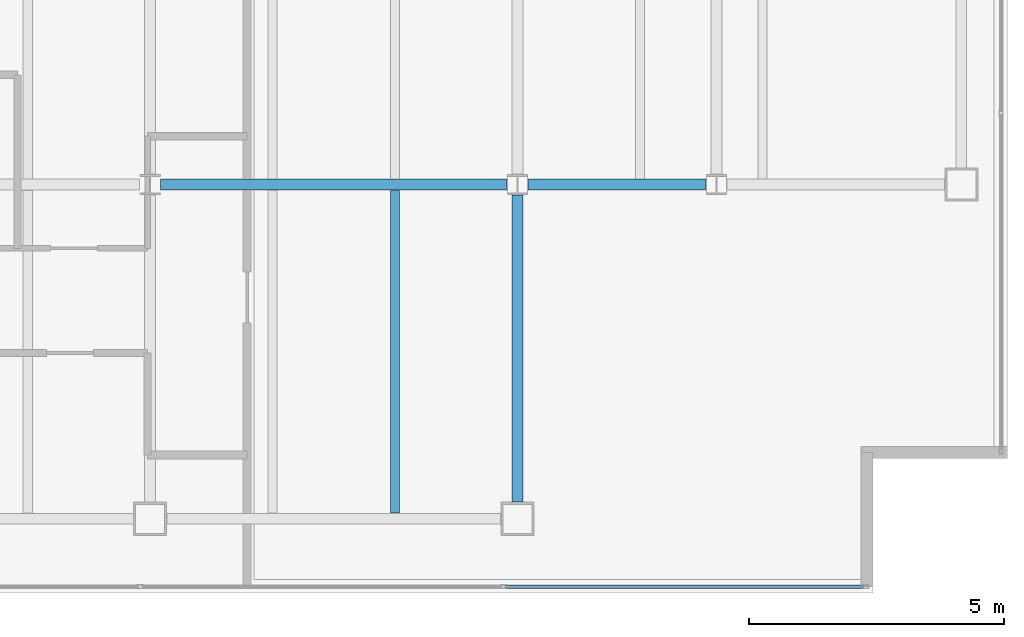
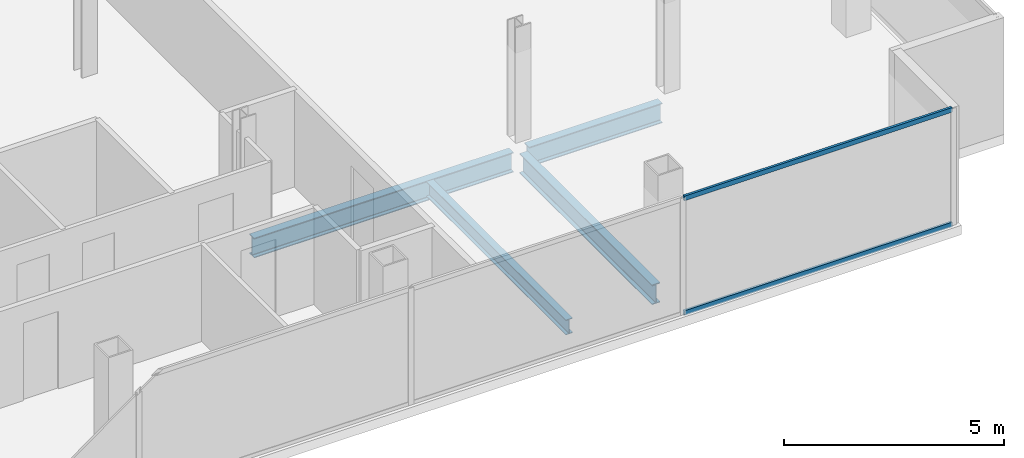
# One storey, part 13 of 23: 4 beams, 2 members, 1 element without a shape of its own.
"""IFC4 building model written with IfcOpenShell, lengths in metres."""

import ifcopenshell
import ifcopenshell.guid

model = None  # the IFC model being written
_history = None  # IfcOwnerHistory: only IFC2X3 demands one
_inside = {}  # id of a spatial element -> (the spatial element, [elements in it])
_under = {}  # id of a project, library or spatial element -> (it, [spatial elements below it])
_declared = {}  # id of a project -> (the project, [libraries it declares])
_typed = {}  # id of a type object -> (the type object, [elements of that type])
_made_of = {}  # id of a material, layer set ... -> (it, [elements and type objects made of it])


def new_model(schema):
    """Start an empty IFC model of exactly this schema.

    Asked for "IFC4X3", IfcOpenShell would pick the latest addendum, in which some entities
    have other attributes; the version numbers below select the first issue.
    IFC2X3 requires an IfcOwnerHistory on every rooted entity: one is made here for all.
    """
    global model, _history
    if schema == "IFC4X3":
        model = ifcopenshell.file(schema_version=(4, 3, 0, 0))
    else:
        model = ifcopenshell.file(schema=schema)
    _inside.clear()
    _under.clear()
    _declared.clear()
    _typed.clear()
    _made_of.clear()
    _history = None
    if model.schema == "IFC2X3":
        org = make("IfcOrganization", Name="unknown")
        user = make(
            "IfcPersonAndOrganization",
            ThePerson=make("IfcPerson", FamilyName="unknown"),
            TheOrganization=org,
        )
        app = make(
            "IfcApplication",
            ApplicationDeveloper=org,
            Version="unknown",
            ApplicationFullName="unknown",
            ApplicationIdentifier="unknown",
        )
        _history = make(
            "IfcOwnerHistory",
            OwningUser=user,
            OwningApplication=app,
            ChangeAction="ADDED",
            CreationDate=0,
        )
    return model


def make(cls, **values):
    """One entity of the class cls with the attributes given. An attribute that is None is left unset."""
    return model.create_entity(
        cls, **{name: value for name, value in values.items() if value is not None}
    )


def rooted(cls, **values):
    """An entity with a GlobalId (a new one), such as an element, a storey or a relation."""
    return make(cls, GlobalId=ifcopenshell.guid.new(), OwnerHistory=_history, **values)


def si_unit(unit_type, name, prefix=None):
    """IfcSIUnit, for example si_unit("LENGTHUNIT", "METRE", prefix="MILLI")."""
    return make("IfcSIUnit", UnitType=unit_type, Prefix=prefix, Name=name)


def assignment(units):
    """IfcUnitAssignment: the units of a project."""
    return None if units is None else make("IfcUnitAssignment", Units=units)


def point(xyz):
    """IfcCartesianPoint."""
    return None if xyz is None else make("IfcCartesianPoint", Coordinates=xyz)


def direction(xyz):
    """IfcDirection."""
    return None if xyz is None else make("IfcDirection", DirectionRatios=xyz)


def frame(location, z_axis=None, x_axis=None):
    """IfcAxis2Placement3D, a coordinate frame: its origin and axes. An axis left out is left unset."""
    return make(
        "IfcAxis2Placement3D",
        Location=point(location),
        Axis=direction(z_axis),
        RefDirection=direction(x_axis),
    )


def frame_2d(location, x_axis=None):
    """IfcAxis2Placement2D, a coordinate frame in the plane: its origin and x axis."""
    return make(
        "IfcAxis2Placement2D", Location=point(location), RefDirection=direction(x_axis)
    )


def origin():
    """The frame at (0, 0, 0) with its axes left unset."""
    return frame((0.0, 0.0, 0.0))


def origin_2d():
    """The frame at (0, 0) in the plane with its x axis left unset."""
    return frame_2d((0.0, 0.0))


def place(relative_to, where):
    """IfcLocalPlacement: puts the frame where relative to a parent placement (None: the world)."""
    return make(
        "IfcLocalPlacement", PlacementRelTo=relative_to, RelativePlacement=where
    )


def context(
    kind, dimensions, precision=None, world=None, true_north=None, identifier=None
):
    """IfcGeometricRepresentationContext, for example the 3D "Model" context."""
    return make(
        "IfcGeometricRepresentationContext",
        ContextIdentifier=identifier,
        ContextType=kind,
        CoordinateSpaceDimension=dimensions,
        Precision=precision,
        WorldCoordinateSystem=world,
        TrueNorth=true_north,
    )


def subcontext(parent, identifier, kind, view, scale=None):
    """IfcGeometricRepresentationSubContext, for example "Body" below "Model"."""
    return make(
        "IfcGeometricRepresentationSubContext",
        ContextIdentifier=identifier,
        ContextType=kind,
        ParentContext=parent,
        TargetScale=scale,
        TargetView=view,
    )


def project(units=None, contexts=None):
    """IfcProject with its units and contexts."""
    return rooted(
        "IfcProject",
        Name="project",
        RepresentationContexts=contexts,
        UnitsInContext=assignment(units),
    )


def spatial(cls, under=None, at=None, **own):
    """A site, building, storey or space (cls), placed at a placement, below another one or the project."""
    s = rooted(cls, ObjectPlacement=at, **own)
    if under is not None:
        _under.setdefault(under.id(), (under, []))[1].append(s)
    return s


def profile(cls, at=None, kind="AREA", **sizes):
    """A parametric profile (cls). Its sizes go by their IFC names, for example OverallWidth=200.0."""
    return make(cls, ProfileType=kind, Position=at, **sizes)


def hollow_rectangle(**sizes):
    """IfcRectangleHollowProfileDef."""
    return profile("IfcRectangleHollowProfileDef", **sizes)


def i_section(**sizes):
    """IfcIShapeProfileDef."""
    return profile("IfcIShapeProfileDef", **sizes)


def extrude(swept, where, along, depth):
    """IfcExtrudedAreaSolid: the profile swept, set in the frame where, extruded along a direction by depth."""
    return make(
        "IfcExtrudedAreaSolid",
        SweptArea=swept,
        Position=where,
        ExtrudedDirection=direction(along),
        Depth=depth,
    )


def shape(context_of_items, identifier, shape_type, items):
    """IfcShapeRepresentation: the items that make up one representation, for example the "Body"."""
    return make(
        "IfcShapeRepresentation",
        ContextOfItems=context_of_items,
        RepresentationIdentifier=identifier,
        RepresentationType=shape_type,
        Items=items,
    )


def material(Name=None, Category=None):
    """IfcMaterial."""
    return make("IfcMaterial", Name=Name, Category=Category)


def material_profile(
    of_material, cross_section, Name=None, Category=None, Priority=None
):
    """IfcMaterialProfile: a cross section and its material."""
    return make(
        "IfcMaterialProfile",
        Name=Name,
        Material=of_material,
        Profile=cross_section,
        Priority=Priority,
        Category=Category,
    )


def profile_set(profiles, Name=None, composite=None):
    """IfcMaterialProfileSet."""
    return make(
        "IfcMaterialProfileSet",
        Name=Name,
        MaterialProfiles=profiles,
        CompositeProfile=composite,
    )


def made_of(thing, what):
    """Note that an element or type object is made of a material, layer set ...; save() writes the relation."""
    if what is not None:
        _made_of.setdefault(what.id(), (what, []))[1].append(thing)
    return thing


def type_object(cls, material=None, **own):
    """A type object (cls), such as IfcWallType, which elements share."""
    return made_of(rooted(cls, **own), material)


def element(
    cls,
    number,
    at=None,
    inside=None,
    cuts=None,
    type_object=None,
    material=None,
    context=None,
    identifier="Body",
    shape_type=None,
    held_by="IfcProductDefinitionShape",
    body=None,
    shapes=None,
    **own,
):
    """One element of the class cls, such as IfcWall. Its Tag is "e" and its number.

    at: its placement. inside: the storey or other place that contains it. cuts: it is an
    opening in that element (IfcRelVoidsElement). A single representation is given by context,
    identifier, shape_type and body (its items); several are given by shapes. held_by: the class
    of the entity that holds the representations. save() writes the other relations.
    """
    e = rooted(cls, Tag="e%d" % number, ObjectPlacement=at, **own)
    if body is not None:
        shapes = [shape(context, identifier, shape_type, body)]
    if shapes is not None:
        e.Representation = make(held_by, Representations=shapes)
    if inside is not None:
        _inside.setdefault(inside.id(), (inside, []))[1].append(e)
    if cuts is not None:
        rooted(
            "IfcRelVoidsElement", RelatingBuildingElement=cuts, RelatedOpeningElement=e
        )
    if type_object is not None:
        _typed.setdefault(type_object.id(), (type_object, []))[1].append(e)
    return made_of(e, material)


def aggregate(whole, parts):
    """IfcRelAggregates: a whole, such as a stair, and the parts it consists of."""
    return rooted("IfcRelAggregates", RelatingObject=whole, RelatedObjects=parts)


def save(model, path):
    """Write the relations noted so far, then the file.

    IfcRelAggregates (storeys below a building ...), IfcRelContainedInSpatialStructure (elements
    in a storey), IfcRelDefinesByType, IfcRelAssociatesMaterial and IfcRelDeclares: one each for
    every whole, place, type object, material and project.
    """
    for whole, parts in _under.values():
        aggregate(whole, parts)
    for where, things in _inside.values():
        rooted(
            "IfcRelContainedInSpatialStructure",
            RelatedElements=things,
            RelatingStructure=where,
        )
    for kind, things in _typed.values():
        rooted("IfcRelDefinesByType", RelatedObjects=things, RelatingType=kind)
    for what, things in _made_of.values():
        rooted("IfcRelAssociatesMaterial", RelatedObjects=things, RelatingMaterial=what)
    for by, libraries in _declared.values():
        rooted("IfcRelDeclares", RelatingContext=by, RelatedDefinitions=libraries)
    model.write(path)


model = new_model("IFC4")

# Units and contexts
model_context = context("Model", 3, precision=1e-05, world=origin(), true_north=direction((0.0, 1.0)))
body_context = subcontext(model_context, "Body", "Model", "MODEL_VIEW")
ifc_project = project(units=[si_unit("LENGTHUNIT", "METRE"), si_unit("AREAUNIT", "SQUARE_METRE"), si_unit("VOLUMEUNIT", "CUBIC_METRE"), si_unit("PLANEANGLEUNIT", "RADIAN"), si_unit("MASSUNIT", "GRAM", prefix="KILO")], contexts=[model_context])

# Site, building, storey
site_placement = place(None, origin())
site = spatial("IfcSite", under=ifc_project, at=site_placement, CompositionType="ELEMENT")
building_placement = place(site_placement, origin())
building = spatial("IfcBuilding", under=site, at=building_placement, Name="Cobrela Telecom Tower", CompositionType="ELEMENT")
storey_placement = place(building_placement, frame((0.0, 0.0, 272.64990234375)))
storey = spatial("IfcBuildingStorey", under=building, at=storey_placement, Name="L71", CompositionType="ELEMENT", Elevation=272.64990234375)

# Beams
ifc_material_1 = material(Name="Steel ASTM A992 Grade 50", Category="steel")
ifc_material_profile_1 = material_profile(ifc_material_1, i_section(OverallWidth=0.212890625, OverallDepth=0.549072265625, WebThickness=0.0146484375, FlangeThickness=0.023681640625, FilletRadius=0.013916015625, at=origin_2d()), Name="W21X93")
ifc_profile_set_1 = profile_set([ifc_material_profile_1], Name="Steel ASTM A992 Grade 50")
beam_type_1 = type_object("IfcBeamType", Name="BM-GIRD-08", PredefinedType="USERDEFINED", material=ifc_profile_set_1)
beam_1_placement = place(storey_placement, frame((29.00439453125, 14.39990234375, -0.534423828125), z_axis=(1.0, 0.0, 0.0), x_axis=(0.0, 1.0, 0.0)))
element("IfcBeam", 1, at=beam_1_placement, inside=storey, type_object=beam_type_1, Name="L71 Primary Girder X07", ObjectType="GIRDER", PredefinedType="USERDEFINED", context=body_context, shape_type="SweptSolid", body=[
    extrude(i_section(OverallWidth=0.212890625, OverallDepth=0.549072265625, WebThickness=0.0146484375, FlangeThickness=0.023681640625, FilletRadius=0.013916015625, at=origin_2d()), origin(), (0.0, 0.0, 1.0), 6.791015625),
])
beam_2_placement = place(storey_placement, frame((36.20458984375, 14.39990234375, -0.534423828125), z_axis=(1.0, 0.0, 0.0), x_axis=(0.0, 1.0, 0.0)))
element("IfcBeam", 2, at=beam_2_placement, inside=storey, type_object=beam_type_1, Name="L71 Primary Girder X08", ObjectType="GIRDER", PredefinedType="USERDEFINED", context=body_context, shape_type="SweptSolid", body=[
    extrude(i_section(OverallWidth=0.212890625, OverallDepth=0.549072265625, WebThickness=0.0146484375, FlangeThickness=0.023681640625, FilletRadius=0.013916015625, at=origin_2d()), origin(), (0.0, 0.0, 1.0), 3.490966796875),
])
beam_3_placement = place(storey_placement, frame((36.0, 8.179931640625, -0.534423828125), z_axis=(0.0, 1.0, 0.0), x_axis=(-1.0, 0.0, 0.0)))
element("IfcBeam", 3, at=beam_3_placement, inside=storey, type_object=beam_type_1, Name="L71 Primary Girder Y31", ObjectType="GIRDER", PredefinedType="USERDEFINED", context=body_context, shape_type="SweptSolid", body=[
    extrude(i_section(OverallWidth=0.212890625, OverallDepth=0.549072265625, WebThickness=0.0146484375, FlangeThickness=0.023681640625, FilletRadius=0.013916015625, at=origin_2d()), origin(), (0.0, 0.0, 1.0), 6.015625),
])
ifc_material_profile_2 = material_profile(ifc_material_1, i_section(OverallWidth=0.179931640625, OverallDepth=0.4169921875, WebThickness=0.010986328125, FlangeThickness=0.01806640625, FilletRadius=0.011962890625, at=origin_2d()), Name="W16X57")
ifc_profile_set_2 = profile_set([ifc_material_profile_2], Name="Steel ASTM A992 Grade 50")
beam_type_2 = type_object("IfcBeamType", Name="BM-JOIST-04", PredefinedType="JOIST", material=ifc_profile_set_2)
beam_4_placement = place(storey_placement, frame((33.60009765625, 7.96142578125, -0.468505859375), z_axis=(0.0, 1.0, 0.0), x_axis=(-1.0, 0.0, 0.0)))
element("IfcBeam", 4, at=beam_4_placement, inside=storey, type_object=beam_type_2, Name="L71 Secondary Composite Floor Beam J13", PredefinedType="JOIST", context=body_context, shape_type="SweptSolid", body=[
    extrude(i_section(OverallWidth=0.179931640625, OverallDepth=0.4169921875, WebThickness=0.010986328125, FlangeThickness=0.01806640625, FilletRadius=0.011962890625, at=origin_2d()), origin(), (0.0, 0.0, 1.0), 6.3271484375),
])

# Curtain wall, members
ifc_material_2 = material(Name="Anodized Bronze Aluminium 6063-T6", Category="aluminium")
curtain_wall_type = type_object("IfcCurtainWallType", Name="CW-SYS-OFF-HI", PredefinedType="USERDEFINED", material=ifc_material_2)
curtain_wall_placement = place(storey_placement, origin())
curtain_wall = element("IfcCurtainWall", 5, at=curtain_wall_placement, inside=storey, type_object=curtain_wall_type, Name="L71 Unitised Bronze Curtain Wall 15", ObjectType="UNITISED CURTAIN WALL", PredefinedType="USERDEFINED")
ifc_material_profile_3 = material_profile(ifc_material_2, hollow_rectangle(XDim=0.06494140625, YDim=0.1298828125, WallThickness=0.00390625, at=origin_2d()), Name="ALU 65x130x4")
ifc_profile_set_3 = profile_set([ifc_material_profile_3], Name="Anodized Bronze Aluminium 6063-T6")
member_type = type_object("IfcMemberType", Name="CW-SYS-OFF-HI-TRN", PredefinedType="USERDEFINED", material=ifc_profile_set_3)
member_1_placement = place(storey_placement, frame((42.780029296875, 6.52001953125, 0.03271484375), z_axis=(-1.0, 0.0, 0.0), x_axis=(0.0, -1.0, 0.0)))
member_1 = element("IfcMember", 6, at=member_1_placement, type_object=member_type, Name="CW-OFF-HI transom 1.1", ObjectType="TRANSOM", PredefinedType="USERDEFINED", context=body_context, shape_type="SweptSolid", body=[
    extrude(hollow_rectangle(XDim=0.06494140625, YDim=0.1298828125, WallThickness=0.00390625, at=origin_2d()), origin(), (0.0, 0.0, 1.0), 7.0166015625),
])
member_2_placement = place(storey_placement, frame((42.780029296875, 6.52001953125, 3.20751953125), z_axis=(-1.0, 0.0, 0.0), x_axis=(0.0, -1.0, 0.0)))
member_2 = element("IfcMember", 7, at=member_2_placement, type_object=member_type, Name="CW-OFF-HI transom 1.2", ObjectType="TRANSOM", PredefinedType="USERDEFINED", context=body_context, shape_type="SweptSolid", body=[
    extrude(hollow_rectangle(XDim=0.06494140625, YDim=0.1298828125, WallThickness=0.00390625, at=origin_2d()), origin(), (0.0, 0.0, 1.0), 7.0166015625),
])
aggregate(curtain_wall, [member_1, member_2])

save(model, "model.ifc")
